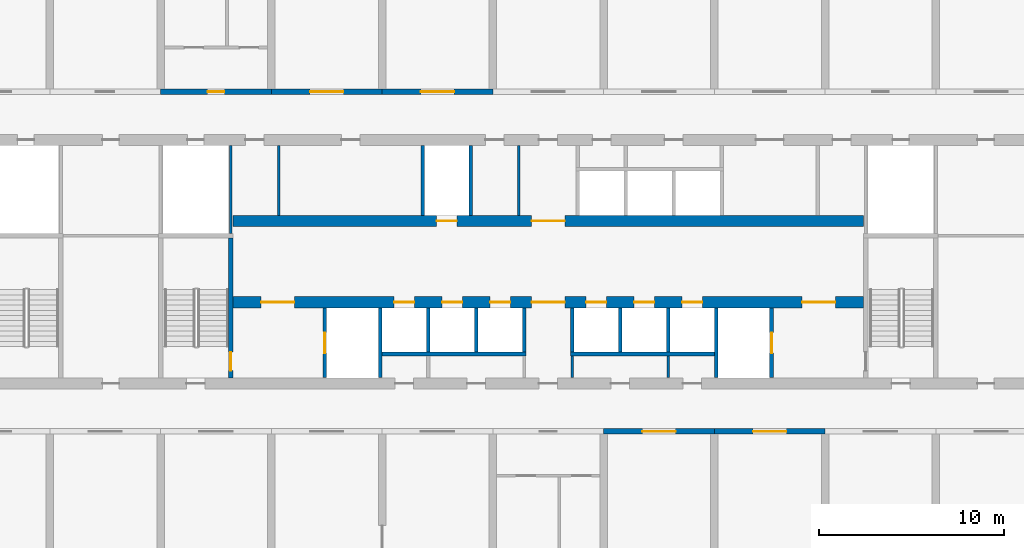
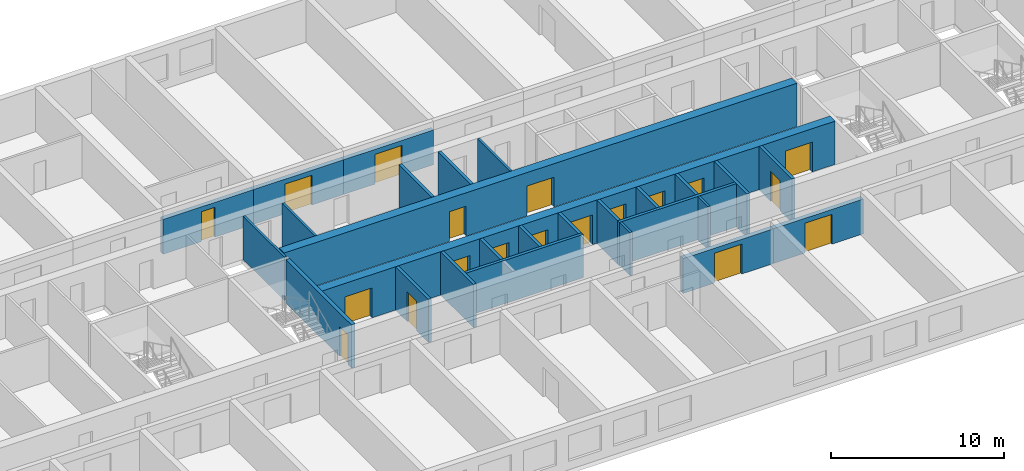
# One storey, part 11 of 21: 27 walls, 19 doors, 19 openings.
"""IFC4 building model written with IfcOpenShell, lengths in metres."""

from ifc_helpers import new_model, si_unit, direction, frame, frame_2d, origin, place, context, subcontext, project, spatial, rectangle, extrude, material, layer, layer_set, type_object, element, fill, save


model = new_model("IFC4")

# Units and contexts
model_context = context("Model", 3, precision=1e-05, world=origin(), true_north=direction((0.0, 1.0)))
body_context = subcontext(model_context, "Body", "Model", "MODEL_VIEW")
ifc_project = project(units=[si_unit("LENGTHUNIT", "METRE"), si_unit("AREAUNIT", "SQUARE_METRE"), si_unit("VOLUMEUNIT", "CUBIC_METRE"), si_unit("PLANEANGLEUNIT", "RADIAN"), si_unit("MASSUNIT", "GRAM", prefix="KILO")], contexts=[model_context])

# Site, building, storey
site_placement = place(None, origin())
site = spatial("IfcSite", under=ifc_project, at=site_placement, CompositionType="ELEMENT")
building_placement = place(site_placement, origin())
building = spatial("IfcBuilding", under=site, at=building_placement, Name="Poui Terraces", CompositionType="ELEMENT")
storey_placement = place(building_placement, frame((0.0, 0.0, 53.10009765625)))
storey = spatial("IfcBuildingStorey", under=building, at=storey_placement, Name="L14", CompositionType="ELEMENT", Elevation=53.10009765625)

# Wall, openings, doors
ifc_material_1 = material(Name="Concrete 80 MPa", Category="concrete")
ifc_layer_1 = layer(ifc_material_1, 0.60009765625)
ifc_layer_set_1 = layer_set([ifc_layer_1], Name="Concrete 80 MPa")
wall_type_1 = type_object("IfcWallType", Name="CORE WALL 600 80 MPA", PredefinedType="SOLIDWALL", material=ifc_layer_set_1)
wall_1_placement = place(storey_placement, frame((33.925048828125, 19.0, 0.0), z_axis=(0.0, 0.0, 1.0), x_axis=(1.0, 0.0, 0.0)))
wall_1 = element("IfcWall", 1, at=wall_1_placement, inside=storey, type_object=wall_type_1, Name="CORE WALL", PredefinedType="SOLIDWALL", context=body_context, shape_type="SweptSolid", body=[
    extrude(rectangle(XDim=34.14990234375, YDim=0.60009765625, at=frame_2d((17.074951171875, 0.0))), origin(), (0.0, 0.0, 1.0), 3.0498046875),
])
opening_1_placement = place(wall_1_placement, frame((16.175048828125, 0.0, 0.0)))
opening_1 = element("IfcOpeningElement", 2, at=opening_1_placement, cuts=wall_1, Name="Opening FDD60", PredefinedType="OPENING", context=body_context, shape_type="SweptSolid", body=[
    extrude(rectangle(XDim=1.800048828125, YDim=2.10009765625, at=frame_2d((0.89990234375, 1.050048828125))), frame((0.0, 0.31005859375, 0.0), z_axis=(0.0, -1.0, 0.0), x_axis=(1.0, 0.0, 0.0)), (0.0, 0.0, 1.0), 0.6201171875),
])
opening_2_placement = place(wall_1_placement, frame((1.52490234375, 0.0, 0.0)))
opening_2 = element("IfcOpeningElement", 3, at=opening_2_placement, cuts=wall_1, Name="Opening FDD60", PredefinedType="OPENING", context=body_context, shape_type="SweptSolid", body=[
    extrude(rectangle(XDim=1.800048828125, YDim=2.10009765625, at=frame_2d((0.89990234375, 1.050048828125))), frame((0.0, 0.31005859375, 0.0), z_axis=(0.0, -1.0, 0.0), x_axis=(1.0, 0.0, 0.0)), (0.0, 0.0, 1.0), 0.6201171875),
])
opening_3_placement = place(wall_1_placement, frame((8.72509765625, 0.0, 0.0)))
opening_3 = element("IfcOpeningElement", 4, at=opening_3_placement, cuts=wall_1, Name="Opening LD", PredefinedType="OPENING", context=body_context, shape_type="SweptSolid", body=[
    extrude(rectangle(XDim=1.10009765625, YDim=2.10009765625, at=frame_2d((0.550048828125, 1.050048828125))), frame((0.0, 0.31005859375, 0.0), z_axis=(0.0, -1.0, 0.0), x_axis=(1.0, 0.0, 0.0)), (0.0, 0.0, 1.0), 0.6201171875),
])
opening_4_placement = place(wall_1_placement, frame((11.324951171875, 0.0, 0.0)))
opening_4 = element("IfcOpeningElement", 5, at=opening_4_placement, cuts=wall_1, Name="Opening LD", PredefinedType="OPENING", context=body_context, shape_type="SweptSolid", body=[
    extrude(rectangle(XDim=1.10009765625, YDim=2.10009765625, at=frame_2d((0.550048828125, 1.050048828125))), frame((0.0, 0.31005859375, 0.0), z_axis=(0.0, -1.0, 0.0), x_axis=(1.0, 0.0, 0.0)), (0.0, 0.0, 1.0), 0.6201171875),
])
opening_5_placement = place(wall_1_placement, frame((13.925048828125, 0.0, 0.0)))
opening_5 = element("IfcOpeningElement", 6, at=opening_5_placement, cuts=wall_1, Name="Opening LD", PredefinedType="OPENING", context=body_context, shape_type="SweptSolid", body=[
    extrude(rectangle(XDim=1.10009765625, YDim=2.10009765625, at=frame_2d((0.550048828125, 1.050048828125))), frame((0.0, 0.31005859375, 0.0), z_axis=(0.0, -1.0, 0.0), x_axis=(1.0, 0.0, 0.0)), (0.0, 0.0, 1.0), 0.6201171875),
])
opening_6_placement = place(wall_1_placement, frame((19.125, 0.0, 0.0)))
opening_6 = element("IfcOpeningElement", 7, at=opening_6_placement, cuts=wall_1, Name="Opening LD", PredefinedType="OPENING", context=body_context, shape_type="SweptSolid", body=[
    extrude(rectangle(XDim=1.10009765625, YDim=2.10009765625, at=frame_2d((0.550048828125, 1.050048828125))), frame((0.0, 0.31005859375, 0.0), z_axis=(0.0, -1.0, 0.0), x_axis=(1.0, 0.0, 0.0)), (0.0, 0.0, 1.0), 0.6201171875),
])
opening_7_placement = place(wall_1_placement, frame((21.72509765625, 0.0, 0.0)))
opening_7 = element("IfcOpeningElement", 8, at=opening_7_placement, cuts=wall_1, Name="Opening LD", PredefinedType="OPENING", context=body_context, shape_type="SweptSolid", body=[
    extrude(rectangle(XDim=1.10009765625, YDim=2.10009765625, at=frame_2d((0.550048828125, 1.050048828125))), frame((0.0, 0.31005859375, 0.0), z_axis=(0.0, -1.0, 0.0), x_axis=(1.0, 0.0, 0.0)), (0.0, 0.0, 1.0), 0.6201171875),
])
opening_8_placement = place(wall_1_placement, frame((24.324951171875, 0.0, 0.0)))
opening_8 = element("IfcOpeningElement", 9, at=opening_8_placement, cuts=wall_1, Name="Opening LD", PredefinedType="OPENING", context=body_context, shape_type="SweptSolid", body=[
    extrude(rectangle(XDim=1.10009765625, YDim=2.10009765625, at=frame_2d((0.550048828125, 1.050048828125))), frame((0.0, 0.31005859375, 0.0), z_axis=(0.0, -1.0, 0.0), x_axis=(1.0, 0.0, 0.0)), (0.0, 0.0, 1.0), 0.6201171875),
])
opening_9_placement = place(wall_1_placement, frame((30.824951171875, 0.0, 0.0)))
opening_9 = element("IfcOpeningElement", 10, at=opening_9_placement, cuts=wall_1, Name="Opening FDD60", PredefinedType="OPENING", context=body_context, shape_type="SweptSolid", body=[
    extrude(rectangle(XDim=1.800048828125, YDim=2.10009765625, at=frame_2d((0.89990234375, 1.050048828125))), frame((0.0, 0.31005859375, 0.0), z_axis=(0.0, -1.0, 0.0), x_axis=(1.0, 0.0, 0.0)), (0.0, 0.0, 1.0), 0.6201171875),
])
ifc_material_2 = material(Name="Steel fire door", Category="steel")
door_type_1 = type_object("IfcDoorType", Name="DOUBLE LOBBY FIRE DOOR 1800 X 2100", OperationType="DOUBLE_DOOR_SINGLE_SWING", PredefinedType="DOOR", material=ifc_material_2)
door_1_placement = place(opening_1_placement, frame((1.800048828125, 0.0, 0.0), z_axis=(0.0, 0.0, 1.0), x_axis=(-1.0, 0.0, 0.0)))
door_1 = element("IfcDoor", 11, at=door_1_placement, inside=storey, type_object=door_type_1, Name="DOUBLE LOBBY FIRE DOOR 086", OperationType="DOUBLE_DOOR_SINGLE_SWING", OverallHeight=2.10009765625, OverallWidth=1.800048828125, PredefinedType="DOOR", context=body_context, shape_type="SweptSolid", body=[
    extrude(rectangle(XDim=1.800048828125, YDim=2.10009765625, at=frame_2d((0.89990234375, 1.050048828125))), frame((0.0, 0.02490234375, 0.0), z_axis=(0.0, -1.0, 0.0), x_axis=(1.0, 0.0, 0.0)), (0.0, 0.0, 1.0), 0.050048828125),
])
fill(opening_1, door_1)
door_2_placement = place(opening_2_placement, origin())
door_2 = element("IfcDoor", 12, at=door_2_placement, inside=storey, type_object=door_type_1, Name="DOUBLE LOBBY FIRE DOOR 087", OperationType="DOUBLE_DOOR_SINGLE_SWING", OverallHeight=2.10009765625, OverallWidth=1.800048828125, PredefinedType="DOOR", context=body_context, shape_type="SweptSolid", body=[
    extrude(rectangle(XDim=1.800048828125, YDim=2.10009765625, at=frame_2d((0.89990234375, 1.050048828125))), frame((0.0, 0.02490234375, 0.0), z_axis=(0.0, -1.0, 0.0), x_axis=(1.0, 0.0, 0.0)), (0.0, 0.0, 1.0), 0.050048828125),
])
fill(opening_2, door_2)
door_3_placement = place(opening_9_placement, origin())
door_3 = element("IfcDoor", 13, at=door_3_placement, inside=storey, type_object=door_type_1, Name="DOUBLE LOBBY FIRE DOOR 095", OperationType="DOUBLE_DOOR_SINGLE_SWING", OverallHeight=2.10009765625, OverallWidth=1.800048828125, PredefinedType="DOOR", context=body_context, shape_type="SweptSolid", body=[
    extrude(rectangle(XDim=1.800048828125, YDim=2.10009765625, at=frame_2d((0.89990234375, 1.050048828125))), frame((0.0, 0.02490234375, 0.0), z_axis=(0.0, -1.0, 0.0), x_axis=(1.0, 0.0, 0.0)), (0.0, 0.0, 1.0), 0.050048828125),
])
fill(opening_9, door_3)
ifc_material_3 = material(Name="Stainless steel sliding door", Category="steel")
door_type_2 = type_object("IfcDoorType", Name="LIFT LANDING DOOR 1100 X 2100", OperationType="DOUBLE_DOOR_SLIDING", PredefinedType="DOOR", material=ifc_material_3)
door_4_placement = place(opening_3_placement, origin())
door_4 = element("IfcDoor", 14, at=door_4_placement, inside=storey, type_object=door_type_2, Name="LANDING DOOR", OperationType="DOUBLE_DOOR_SLIDING", OverallHeight=2.10009765625, OverallWidth=1.10009765625, PredefinedType="DOOR", context=body_context, shape_type="SweptSolid", body=[
    extrude(rectangle(XDim=1.10009765625, YDim=2.10009765625, at=frame_2d((0.550048828125, 1.050048828125))), frame((0.0, 0.02490234375, 0.0), z_axis=(0.0, -1.0, 0.0), x_axis=(1.0, 0.0, 0.0)), (0.0, 0.0, 1.0), 0.050048828125),
])
fill(opening_3, door_4)
door_5_placement = place(opening_4_placement, origin())
door_5 = element("IfcDoor", 15, at=door_5_placement, inside=storey, type_object=door_type_2, Name="LANDING DOOR", OperationType="DOUBLE_DOOR_SLIDING", OverallHeight=2.10009765625, OverallWidth=1.10009765625, PredefinedType="DOOR", context=body_context, shape_type="SweptSolid", body=[
    extrude(rectangle(XDim=1.10009765625, YDim=2.10009765625, at=frame_2d((0.550048828125, 1.050048828125))), frame((0.0, 0.02490234375, 0.0), z_axis=(0.0, -1.0, 0.0), x_axis=(1.0, 0.0, 0.0)), (0.0, 0.0, 1.0), 0.050048828125),
])
fill(opening_4, door_5)
door_6_placement = place(opening_5_placement, origin())
door_6 = element("IfcDoor", 16, at=door_6_placement, inside=storey, type_object=door_type_2, Name="LANDING DOOR", OperationType="DOUBLE_DOOR_SLIDING", OverallHeight=2.10009765625, OverallWidth=1.10009765625, PredefinedType="DOOR", context=body_context, shape_type="SweptSolid", body=[
    extrude(rectangle(XDim=1.10009765625, YDim=2.10009765625, at=frame_2d((0.550048828125, 1.050048828125))), frame((0.0, 0.02490234375, 0.0), z_axis=(0.0, -1.0, 0.0), x_axis=(1.0, 0.0, 0.0)), (0.0, 0.0, 1.0), 0.050048828125),
])
fill(opening_5, door_6)
door_7_placement = place(opening_6_placement, origin())
door_7 = element("IfcDoor", 17, at=door_7_placement, inside=storey, type_object=door_type_2, Name="LANDING DOOR", OperationType="DOUBLE_DOOR_SLIDING", OverallHeight=2.10009765625, OverallWidth=1.10009765625, PredefinedType="DOOR", context=body_context, shape_type="SweptSolid", body=[
    extrude(rectangle(XDim=1.10009765625, YDim=2.10009765625, at=frame_2d((0.550048828125, 1.050048828125))), frame((0.0, 0.02490234375, 0.0), z_axis=(0.0, -1.0, 0.0), x_axis=(1.0, 0.0, 0.0)), (0.0, 0.0, 1.0), 0.050048828125),
])
fill(opening_6, door_7)
door_8_placement = place(opening_7_placement, origin())
door_8 = element("IfcDoor", 18, at=door_8_placement, inside=storey, type_object=door_type_2, Name="LANDING DOOR", OperationType="DOUBLE_DOOR_SLIDING", OverallHeight=2.10009765625, OverallWidth=1.10009765625, PredefinedType="DOOR", context=body_context, shape_type="SweptSolid", body=[
    extrude(rectangle(XDim=1.10009765625, YDim=2.10009765625, at=frame_2d((0.550048828125, 1.050048828125))), frame((0.0, 0.02490234375, 0.0), z_axis=(0.0, -1.0, 0.0), x_axis=(1.0, 0.0, 0.0)), (0.0, 0.0, 1.0), 0.050048828125),
])
fill(opening_7, door_8)
door_9_placement = place(opening_8_placement, origin())
door_9 = element("IfcDoor", 19, at=door_9_placement, inside=storey, type_object=door_type_2, Name="LANDING DOOR", OperationType="DOUBLE_DOOR_SLIDING", OverallHeight=2.10009765625, OverallWidth=1.10009765625, PredefinedType="DOOR", context=body_context, shape_type="SweptSolid", body=[
    extrude(rectangle(XDim=1.10009765625, YDim=2.10009765625, at=frame_2d((0.550048828125, 1.050048828125))), frame((0.0, 0.02490234375, 0.0), z_axis=(0.0, -1.0, 0.0), x_axis=(1.0, 0.0, 0.0)), (0.0, 0.0, 1.0), 0.050048828125),
])
fill(opening_8, door_9)

wall_2_placement = place(storey_placement, frame((33.925048828125, 23.39990234375, 0.0), z_axis=(0.0, 0.0, 1.0), x_axis=(1.0, 0.0, 0.0)))
wall_2 = element("IfcWall", 20, at=wall_2_placement, inside=storey, type_object=wall_type_1, Name="CORE WALL", PredefinedType="SOLIDWALL", context=body_context, shape_type="SweptSolid", body=[
    extrude(rectangle(XDim=34.14990234375, YDim=0.60009765625, at=frame_2d((17.074951171875, 0.0))), origin(), (0.0, 0.0, 1.0), 3.0498046875),
])
opening_10_placement = place(wall_2_placement, frame((16.175048828125, 0.0, 0.0)))
opening_10 = element("IfcOpeningElement", 21, at=opening_10_placement, cuts=wall_2, Name="Opening FDD60", PredefinedType="OPENING", context=body_context, shape_type="SweptSolid", body=[
    extrude(rectangle(XDim=1.800048828125, YDim=2.10009765625, at=frame_2d((0.89990234375, 1.050048828125))), frame((0.0, 0.31005859375, 0.0), z_axis=(0.0, -1.0, 0.0), x_axis=(1.0, 0.0, 0.0)), (0.0, 0.0, 1.0), 0.6201171875),
])
opening_11_placement = place(wall_2_placement, frame((11.02490234375, 0.0, 0.0)))
opening_11 = element("IfcOpeningElement", 22, at=opening_11_placement, cuts=wall_2, Name="Opening LD", PredefinedType="OPENING", context=body_context, shape_type="SweptSolid", body=[
    extrude(rectangle(XDim=1.10009765625, YDim=2.10009765625, at=frame_2d((0.550048828125, 1.050048828125))), frame((0.0, 0.31005859375, 0.0), z_axis=(0.0, -1.0, 0.0), x_axis=(1.0, 0.0, 0.0)), (0.0, 0.0, 1.0), 0.6201171875),
])
door_10_placement = place(opening_10_placement, origin())
door_10 = element("IfcDoor", 23, at=door_10_placement, inside=storey, type_object=door_type_1, Name="DOUBLE LOBBY FIRE DOOR 085", OperationType="DOUBLE_DOOR_SINGLE_SWING", OverallHeight=2.10009765625, OverallWidth=1.800048828125, PredefinedType="DOOR", context=body_context, shape_type="SweptSolid", body=[
    extrude(rectangle(XDim=1.800048828125, YDim=2.10009765625, at=frame_2d((0.89990234375, 1.050048828125))), frame((0.0, 0.02490234375, 0.0), z_axis=(0.0, -1.0, 0.0), x_axis=(1.0, 0.0, 0.0)), (0.0, 0.0, 1.0), 0.050048828125),
])
fill(opening_10, door_10)
door_11_placement = place(opening_11_placement, origin())
door_11 = element("IfcDoor", 24, at=door_11_placement, inside=storey, type_object=door_type_2, Name="LANDING DOOR", OperationType="DOUBLE_DOOR_SLIDING", OverallHeight=2.10009765625, OverallWidth=1.10009765625, PredefinedType="DOOR", context=body_context, shape_type="SweptSolid", body=[
    extrude(rectangle(XDim=1.10009765625, YDim=2.10009765625, at=frame_2d((0.550048828125, 1.050048828125))), frame((0.0, 0.02490234375, 0.0), z_axis=(0.0, -1.0, 0.0), x_axis=(1.0, 0.0, 0.0)), (0.0, 0.0, 1.0), 0.050048828125),
])
fill(opening_11, door_11)

# Walls
ifc_material_4 = material(Name="Fire-rated plasterboard wall")
ifc_layer_2 = layer(ifc_material_4, 0.14990234375)
ifc_layer_set_2 = layer_set([ifc_layer_2], Name="Fire-rated plasterboard wall")
wall_type_2 = type_object("IfcWallType", Name="CORRIDOR WALL 150", PredefinedType="PARTITIONING", material=ifc_layer_set_2)
wall_3_placement = place(storey_placement, frame((49.39990234375, 23.7099609375, 0.0), z_axis=(0.0, 0.0, 1.0), x_axis=(0.0, 1.0, 0.0)))
element("IfcWall", 25, at=wall_3_placement, inside=storey, type_object=wall_type_2, Name="CORRIDOR WALL 150", PredefinedType="PARTITIONING", context=body_context, shape_type="SweptSolid", body=[
    extrude(rectangle(XDim=3.780029296875, YDim=0.14990234375, at=frame_2d((1.89013671875, 0.0))), origin(), (0.0, 0.0, 1.0), 3.0498046875),
])
wall_4_placement = place(storey_placement, frame((52.300048828125, 14.909912109375, 0.0), z_axis=(0.0, 0.0, 1.0), x_axis=(0.0, 1.0, 0.0)))
element("IfcWall", 26, at=wall_4_placement, inside=storey, type_object=wall_type_2, Name="CORRIDOR WALL 150", PredefinedType="PARTITIONING", context=body_context, shape_type="SweptSolid", body=[
    extrude(rectangle(XDim=1.190185546875, YDim=0.14990234375, at=frame_2d((0.59521484375, 0.0))), origin(), (0.0, 0.0, 1.0), 3.0498046875),
])

# Wall, opening, door
ifc_layer_3 = layer(ifc_material_1, 0.300048828125)
ifc_layer_set_3 = layer_set([ifc_layer_3], Name="Concrete 80 MPa")
wall_type_3 = type_object("IfcWallType", Name="CORRIDOR WALL 300 80MPa", PredefinedType="SHEAR", material=ifc_layer_set_3)
wall_5_placement = place(storey_placement, frame((54.0, 12.0, 0.0), z_axis=(0.0, 0.0, 1.0), x_axis=(1.0, 0.0, 0.0)))
wall_5 = element("IfcWall", 27, at=wall_5_placement, inside=storey, type_object=wall_type_3, Name="CORRIDOR WALL LINE B BAY 9", PredefinedType="SHEAR", context=body_context, shape_type="SweptSolid", body=[
    extrude(rectangle(XDim=6.0, YDim=0.300048828125, at=frame_2d((3.0, 0.0))), origin(), (0.0, 0.0, 1.0), 2.449951171875),
])
opening_12_placement = place(wall_5_placement, frame((2.10009765625, 0.0, 0.0)))
opening_12 = element("IfcOpeningElement", 28, at=opening_12_placement, cuts=wall_5, Name="Opening DD180", PredefinedType="OPENING", context=body_context, shape_type="SweptSolid", body=[
    extrude(rectangle(XDim=1.800048828125, YDim=2.10009765625, at=frame_2d((0.89990234375, 1.050048828125))), frame((0.0, 0.16015625, 0.0), z_axis=(0.0, -1.0, 0.0), x_axis=(1.0, 0.0, 0.0)), (0.0, 0.0, 1.0), 0.320068359375),
])
door_type_3 = type_object("IfcDoorType", Name="DOUBLE INTERNAL DOOR 1800 X 2100", OperationType="DOUBLE_DOOR_SINGLE_SWING", PredefinedType="DOOR", material=ifc_material_2)
door_12_placement = place(opening_12_placement, origin())
door_12 = element("IfcDoor", 29, at=door_12_placement, inside=storey, type_object=door_type_3, Name="DOUBLE INTERNAL DOOR 052", OperationType="DOUBLE_DOOR_SINGLE_SWING", OverallHeight=2.10009765625, OverallWidth=1.800048828125, PredefinedType="DOOR", context=body_context, shape_type="SweptSolid", body=[
    extrude(rectangle(XDim=1.800048828125, YDim=2.10009765625, at=frame_2d((0.89990234375, 1.050048828125))), frame((0.0, 0.02490234375, 0.0), z_axis=(0.0, -1.0, 0.0), x_axis=(1.0, 0.0, 0.0)), (0.0, 0.0, 1.0), 0.050048828125),
])
fill(opening_12, door_12)

wall_6_placement = place(storey_placement, frame((60.0, 12.0, 0.0), z_axis=(0.0, 0.0, 1.0), x_axis=(1.0, 0.0, 0.0)))
wall_6 = element("IfcWall", 30, at=wall_6_placement, inside=storey, type_object=wall_type_3, Name="CORRIDOR WALL LINE B BAY 10", PredefinedType="SHEAR", context=body_context, shape_type="SweptSolid", body=[
    extrude(rectangle(XDim=6.0, YDim=0.300048828125, at=frame_2d((3.0, 0.0))), origin(), (0.0, 0.0, 1.0), 2.449951171875),
])
opening_13_placement = place(wall_6_placement, frame((2.10009765625, 0.0, 0.0)))
opening_13 = element("IfcOpeningElement", 31, at=opening_13_placement, cuts=wall_6, Name="Opening DD180", PredefinedType="OPENING", context=body_context, shape_type="SweptSolid", body=[
    extrude(rectangle(XDim=1.800048828125, YDim=2.10009765625, at=frame_2d((0.89990234375, 1.050048828125))), frame((0.0, 0.16015625, 0.0), z_axis=(0.0, -1.0, 0.0), x_axis=(1.0, 0.0, 0.0)), (0.0, 0.0, 1.0), 0.320068359375),
])
door_13_placement = place(opening_13_placement, origin())
door_13 = element("IfcDoor", 32, at=door_13_placement, inside=storey, type_object=door_type_3, Name="DOUBLE INTERNAL DOOR 054", OperationType="DOUBLE_DOOR_SINGLE_SWING", OverallHeight=2.10009765625, OverallWidth=1.800048828125, PredefinedType="DOOR", context=body_context, shape_type="SweptSolid", body=[
    extrude(rectangle(XDim=1.800048828125, YDim=2.10009765625, at=frame_2d((0.89990234375, 1.050048828125))), frame((0.0, 0.02490234375, 0.0), z_axis=(0.0, -1.0, 0.0), x_axis=(1.0, 0.0, 0.0)), (0.0, 0.0, 1.0), 0.050048828125),
])
fill(opening_13, door_13)

wall_7_placement = place(storey_placement, frame((30.0, 30.39990234375, 0.0), z_axis=(0.0, 0.0, 1.0), x_axis=(1.0, 0.0, 0.0)))
wall_7 = element("IfcWall", 33, at=wall_7_placement, inside=storey, type_object=wall_type_3, Name="CORRIDOR WALL LINE E BAY 5", PredefinedType="SHEAR", context=body_context, shape_type="SweptSolid", body=[
    extrude(rectangle(XDim=6.0, YDim=0.300048828125, at=frame_2d((3.0, 0.0))), origin(), (0.0, 0.0, 1.0), 2.449951171875),
])
opening_14_placement = place(wall_7_placement, frame((2.550048828125, 0.0, 0.0)))
opening_14 = element("IfcOpeningElement", 34, at=opening_14_placement, cuts=wall_7, Name="Opening D90", PredefinedType="OPENING", context=body_context, shape_type="SweptSolid", body=[
    extrude(rectangle(XDim=0.89990234375, YDim=2.10009765625, at=frame_2d((0.449951171875, 1.050048828125))), frame((0.0, 0.16015625, 0.0), z_axis=(0.0, -1.0, 0.0), x_axis=(1.0, 0.0, 0.0)), (0.0, 0.0, 1.0), 0.320068359375),
])
ifc_material_5 = material(Name="Solid core timber door", Category="wood")
door_type_4 = type_object("IfcDoorType", Name="INTERNAL DOOR 900 X 2100", OperationType="NOTDEFINED", PredefinedType="DOOR", material=ifc_material_5)
door_14_placement = place(opening_14_placement, frame((0.89990234375, 0.0, 0.0), z_axis=(0.0, 0.0, 1.0), x_axis=(-1.0, 0.0, 0.0)))
door_14 = element("IfcDoor", 35, at=door_14_placement, inside=storey, type_object=door_type_4, Name="INTERNAL DOOR 012", OperationType="SINGLE_SWING_RIGHT", OverallHeight=2.10009765625, OverallWidth=0.89990234375, PredefinedType="DOOR", context=body_context, shape_type="SweptSolid", body=[
    extrude(rectangle(XDim=0.89990234375, YDim=2.10009765625, at=frame_2d((0.449951171875, 1.050048828125))), frame((0.0, 0.02490234375, 0.0), z_axis=(0.0, -1.0, 0.0), x_axis=(1.0, 0.0, 0.0)), (0.0, 0.0, 1.0), 0.050048828125),
])
fill(opening_14, door_14)

wall_8_placement = place(storey_placement, frame((36.0, 30.39990234375, 0.0), z_axis=(0.0, 0.0, 1.0), x_axis=(1.0, 0.0, 0.0)))
wall_8 = element("IfcWall", 36, at=wall_8_placement, inside=storey, type_object=wall_type_3, Name="CORRIDOR WALL LINE E BAY 6", PredefinedType="SHEAR", context=body_context, shape_type="SweptSolid", body=[
    extrude(rectangle(XDim=6.0, YDim=0.300048828125, at=frame_2d((3.0, 0.0))), origin(), (0.0, 0.0, 1.0), 2.449951171875),
])
opening_15_placement = place(wall_8_placement, frame((2.10009765625, 0.0, 0.0)))
opening_15 = element("IfcOpeningElement", 37, at=opening_15_placement, cuts=wall_8, Name="Opening DD180", PredefinedType="OPENING", context=body_context, shape_type="SweptSolid", body=[
    extrude(rectangle(XDim=1.800048828125, YDim=2.10009765625, at=frame_2d((0.89990234375, 1.050048828125))), frame((0.0, 0.16015625, 0.0), z_axis=(0.0, -1.0, 0.0), x_axis=(1.0, 0.0, 0.0)), (0.0, 0.0, 1.0), 0.320068359375),
])
door_15_placement = place(opening_15_placement, frame((1.800048828125, 0.0, 0.0), z_axis=(0.0, 0.0, 1.0), x_axis=(-1.0, 0.0, 0.0)))
door_15 = element("IfcDoor", 38, at=door_15_placement, inside=storey, type_object=door_type_3, Name="DOUBLE INTERNAL DOOR 014", OperationType="DOUBLE_DOOR_SINGLE_SWING", OverallHeight=2.10009765625, OverallWidth=1.800048828125, PredefinedType="DOOR", context=body_context, shape_type="SweptSolid", body=[
    extrude(rectangle(XDim=1.800048828125, YDim=2.10009765625, at=frame_2d((0.89990234375, 1.050048828125))), frame((0.0, 0.02490234375, 0.0), z_axis=(0.0, -1.0, 0.0), x_axis=(1.0, 0.0, 0.0)), (0.0, 0.0, 1.0), 0.050048828125),
])
fill(opening_15, door_15)

wall_9_placement = place(storey_placement, frame((42.0, 30.39990234375, 0.0), z_axis=(0.0, 0.0, 1.0), x_axis=(1.0, 0.0, 0.0)))
wall_9 = element("IfcWall", 39, at=wall_9_placement, inside=storey, type_object=wall_type_3, Name="CORRIDOR WALL LINE E BAY 7", PredefinedType="SHEAR", context=body_context, shape_type="SweptSolid", body=[
    extrude(rectangle(XDim=6.0, YDim=0.300048828125, at=frame_2d((3.0, 0.0))), origin(), (0.0, 0.0, 1.0), 2.449951171875),
])
opening_16_placement = place(wall_9_placement, frame((2.10009765625, 0.0, 0.0)))
opening_16 = element("IfcOpeningElement", 40, at=opening_16_placement, cuts=wall_9, Name="Opening DD180", PredefinedType="OPENING", context=body_context, shape_type="SweptSolid", body=[
    extrude(rectangle(XDim=1.800048828125, YDim=2.10009765625, at=frame_2d((0.89990234375, 1.050048828125))), frame((0.0, 0.16015625, 0.0), z_axis=(0.0, -1.0, 0.0), x_axis=(1.0, 0.0, 0.0)), (0.0, 0.0, 1.0), 0.320068359375),
])
door_16_placement = place(opening_16_placement, frame((1.800048828125, 0.0, 0.0), z_axis=(0.0, 0.0, 1.0), x_axis=(-1.0, 0.0, 0.0)))
door_16 = element("IfcDoor", 41, at=door_16_placement, inside=storey, type_object=door_type_3, Name="DOUBLE INTERNAL DOOR 016", OperationType="DOUBLE_DOOR_SINGLE_SWING", OverallHeight=2.10009765625, OverallWidth=1.800048828125, PredefinedType="DOOR", context=body_context, shape_type="SweptSolid", body=[
    extrude(rectangle(XDim=1.800048828125, YDim=2.10009765625, at=frame_2d((0.89990234375, 1.050048828125))), frame((0.0, 0.02490234375, 0.0), z_axis=(0.0, -1.0, 0.0), x_axis=(1.0, 0.0, 0.0)), (0.0, 0.0, 1.0), 0.050048828125),
])
fill(opening_16, door_16)

# Walls
ifc_material_6 = material(Name="Plasterboard partition")
ifc_layer_4 = layer(ifc_material_6, 0.14990234375)
ifc_layer_set_4 = layer_set([ifc_layer_4], Name="Plasterboard partition")
wall_type_4 = type_object("IfcWallType", Name="PARTITION WALL 150", PredefinedType="PARTITIONING", material=ifc_layer_set_4)
wall_10_placement = place(storey_placement, frame((36.39990234375, 23.7099609375, 0.0), z_axis=(0.0, 0.0, 1.0), x_axis=(0.0, 1.0, 0.0)))
element("IfcWall", 42, at=wall_10_placement, inside=storey, type_object=wall_type_4, Name="PARTITION WALL 150", PredefinedType="PARTITIONING", context=body_context, shape_type="SweptSolid", body=[
    extrude(rectangle(XDim=3.780029296875, YDim=0.14990234375, at=frame_2d((1.89013671875, 0.0))), origin(), (0.0, 0.0, 1.0), 3.0498046875),
])
wall_11_placement = place(storey_placement, frame((57.5, 14.909912109375, 0.0), z_axis=(0.0, 0.0, 1.0), x_axis=(0.0, 1.0, 0.0)))
element("IfcWall", 43, at=wall_11_placement, inside=storey, type_object=wall_type_4, Name="PARTITION WALL 150", PredefinedType="PARTITIONING", context=body_context, shape_type="SweptSolid", body=[
    extrude(rectangle(XDim=1.190185546875, YDim=0.14990234375, at=frame_2d((0.59521484375, 0.0))), origin(), (0.0, 0.0, 1.0), 3.0498046875),
])
ifc_material_7 = material(Name="Fire-rated plasterboard riser wall")
ifc_layer_5 = layer(ifc_material_7, 0.14990234375)
ifc_layer_set_5 = layer_set([ifc_layer_5], Name="Fire-rated plasterboard riser wall")
wall_type_5 = type_object("IfcWallType", Name="RISER WALL 150", PredefinedType="PARTITIONING", material=ifc_layer_set_5)
wall_12_placement = place(storey_placement, frame((33.800048828125, 22.735107421875, 0.0), z_axis=(0.0, 0.0, 1.0), x_axis=(0.0, 1.0, 0.0)))
element("IfcWall", 44, at=wall_12_placement, inside=storey, type_object=wall_type_5, Name="RISER WALL 150", PredefinedType="PARTITIONING", context=body_context, shape_type="SweptSolid", body=[
    extrude(rectangle(XDim=4.7548828125, YDim=0.14990234375, at=frame_2d((2.37744140625, 0.0))), origin(), (0.0, 0.0, 1.0), 3.0498046875),
])
ifc_material_8 = material(Name="Fire-rated masonry shaft wall", Category="masonry")
ifc_layer_6 = layer(ifc_material_8, 0.199951171875)
ifc_layer_set_6 = layer_set([ifc_layer_6], Name="Fire-rated masonry shaft wall")
wall_type_6 = type_object("IfcWallType", Name="SHAFT WALL 200", PredefinedType="PARTITIONING", material=ifc_layer_set_6)
for number, where, z_axis, x_axis, name in (
    (45, (42.0, 16.199951171875, 0.0), (0.0, 0.0, 1.0), (1.0, 0.0, 0.0), "SHAFT WALL 200"),
    (46, (52.199951171875, 16.199951171875, 0.0), (0.0, 0.0, 1.0), (1.0, 0.0, 0.0), "SHAFT WALL 200"),
):
    element("IfcWall", number, at=place(storey_placement, frame(where, z_axis=z_axis, x_axis=x_axis)), inside=storey, type_object=wall_type_6, Name=name, PredefinedType="PARTITIONING", context=body_context, shape_type="SweptSolid", body=[
        extrude(rectangle(XDim=7.800048828125, YDim=0.199951171875, at=frame_2d((3.89990234375, 0.0))), origin(), (0.0, 0.0, 1.0), 3.0498046875),
    ])

# Wall, opening, door
wall_13_placement = place(storey_placement, frame((38.89990234375, 14.909912109375, 0.0), z_axis=(0.0, 0.0, 1.0), x_axis=(0.0, 1.0, 0.0)))
wall_13 = element("IfcWall", 47, at=wall_13_placement, inside=storey, type_object=wall_type_6, Name="SHAFT WALL 200", PredefinedType="PARTITIONING", context=body_context, shape_type="SweptSolid", body=[
    extrude(rectangle(XDim=3.780029296875, YDim=0.199951171875, at=frame_2d((1.89013671875, 0.0))), origin(), (0.0, 0.0, 1.0), 3.0498046875),
])
opening_17_placement = place(wall_13_placement, frame((1.340087890625, 0.0, 0.0)))
opening_17 = element("IfcOpeningElement", 48, at=opening_17_placement, cuts=wall_13, Name="Opening LD", PredefinedType="OPENING", context=body_context, shape_type="SweptSolid", body=[
    extrude(rectangle(XDim=1.10009765625, YDim=2.10009765625, at=frame_2d((0.550048828125, 1.050048828125))), frame((0.0, 0.10986328125, 0.0), z_axis=(0.0, -1.0, 0.0), x_axis=(1.0, 0.0, 0.0)), (0.0, 0.0, 1.0), 0.219970703125),
])
door_17_placement = place(opening_17_placement, origin())
door_17 = element("IfcDoor", 49, at=door_17_placement, inside=storey, type_object=door_type_2, Name="LANDING DOOR", OperationType="DOUBLE_DOOR_SLIDING", OverallHeight=2.10009765625, OverallWidth=1.10009765625, PredefinedType="DOOR", context=body_context, shape_type="SweptSolid", body=[
    extrude(rectangle(XDim=1.10009765625, YDim=2.10009765625, at=frame_2d((0.550048828125, 1.050048828125))), frame((0.0, 0.02490234375, 0.0), z_axis=(0.0, -1.0, 0.0), x_axis=(1.0, 0.0, 0.0)), (0.0, 0.0, 1.0), 0.050048828125),
])
fill(opening_17, door_17)

# Walls
for number, where, z_axis, x_axis, name in (
    (50, (41.89990234375, 14.909912109375, 0.0), (0.0, 0.0, 1.0), (0.0, 1.0, 0.0), "SHAFT WALL 200"),
    (51, (44.199951171875, 23.7099609375, 0.0), (0.0, 0.0, 1.0), (0.0, 1.0, 0.0), "SHAFT WALL 200"),
):
    element("IfcWall", number, at=place(storey_placement, frame(where, z_axis=z_axis, x_axis=x_axis)), inside=storey, type_object=wall_type_6, Name=name, PredefinedType="PARTITIONING", context=body_context, shape_type="SweptSolid", body=[
        extrude(rectangle(XDim=3.780029296875, YDim=0.199951171875, at=frame_2d((1.89013671875, 0.0))), origin(), (0.0, 0.0, 1.0), 3.0498046875),
    ])
wall_14_placement = place(storey_placement, frame((44.5, 16.300048828125, 0.0), z_axis=(0.0, 0.0, 1.0), x_axis=(0.0, 1.0, 0.0)))
element("IfcWall", 52, at=wall_14_placement, inside=storey, type_object=wall_type_6, Name="SHAFT WALL 200", PredefinedType="PARTITIONING", context=body_context, shape_type="SweptSolid", body=[
    extrude(rectangle(XDim=2.389892578125, YDim=0.199951171875, at=frame_2d((1.19482421875, 0.0))), origin(), (0.0, 0.0, 1.0), 3.0498046875),
])
wall_15_placement = place(storey_placement, frame((46.800048828125, 23.7099609375, 0.0), z_axis=(0.0, 0.0, 1.0), x_axis=(0.0, 1.0, 0.0)))
element("IfcWall", 53, at=wall_15_placement, inside=storey, type_object=wall_type_6, Name="SHAFT WALL 200", PredefinedType="PARTITIONING", context=body_context, shape_type="SweptSolid", body=[
    extrude(rectangle(XDim=3.780029296875, YDim=0.199951171875, at=frame_2d((1.89013671875, 0.0))), origin(), (0.0, 0.0, 1.0), 3.0498046875),
])
for number, where, z_axis, x_axis, name in (
    (54, (47.10009765625, 16.300048828125, 0.0), (0.0, 0.0, 1.0), (0.0, 1.0, 0.0), "SHAFT WALL 200"),
    (55, (49.699951171875, 16.300048828125, 0.0), (0.0, 0.0, 1.0), (0.0, 1.0, 0.0), "SHAFT WALL 200"),
    (56, (52.300048828125, 16.300048828125, 0.0), (0.0, 0.0, 1.0), (0.0, 1.0, 0.0), "SHAFT WALL 200"),
    (57, (54.89990234375, 16.300048828125, 0.0), (0.0, 0.0, 1.0), (0.0, 1.0, 0.0), "SHAFT WALL 200"),
    (58, (57.5, 16.300048828125, 0.0), (0.0, 0.0, 1.0), (0.0, 1.0, 0.0), "SHAFT WALL 200"),
):
    element("IfcWall", number, at=place(storey_placement, frame(where, z_axis=z_axis, x_axis=x_axis)), inside=storey, type_object=wall_type_6, Name=name, PredefinedType="PARTITIONING", context=body_context, shape_type="SweptSolid", body=[
        extrude(rectangle(XDim=2.389892578125, YDim=0.199951171875, at=frame_2d((1.19482421875, 0.0))), origin(), (0.0, 0.0, 1.0), 3.0498046875),
    ])
wall_16_placement = place(storey_placement, frame((60.10009765625, 14.909912109375, 0.0), z_axis=(0.0, 0.0, 1.0), x_axis=(0.0, 1.0, 0.0)))
element("IfcWall", 59, at=wall_16_placement, inside=storey, type_object=wall_type_6, Name="SHAFT WALL 200", PredefinedType="PARTITIONING", context=body_context, shape_type="SweptSolid", body=[
    extrude(rectangle(XDim=3.780029296875, YDim=0.199951171875, at=frame_2d((1.89013671875, 0.0))), origin(), (0.0, 0.0, 1.0), 3.0498046875),
])

# Wall, opening, door
wall_17_placement = place(storey_placement, frame((63.10009765625, 14.909912109375, 0.0), z_axis=(0.0, 0.0, 1.0), x_axis=(0.0, 1.0, 0.0)))
wall_17 = element("IfcWall", 60, at=wall_17_placement, inside=storey, type_object=wall_type_6, Name="SHAFT WALL 200", PredefinedType="PARTITIONING", context=body_context, shape_type="SweptSolid", body=[
    extrude(rectangle(XDim=3.780029296875, YDim=0.199951171875, at=frame_2d((1.89013671875, 0.0))), origin(), (0.0, 0.0, 1.0), 3.0498046875),
])
opening_18_placement = place(wall_17_placement, frame((1.340087890625, 0.0, 0.0)))
opening_18 = element("IfcOpeningElement", 61, at=opening_18_placement, cuts=wall_17, Name="Opening LD", PredefinedType="OPENING", context=body_context, shape_type="SweptSolid", body=[
    extrude(rectangle(XDim=1.10009765625, YDim=2.10009765625, at=frame_2d((0.550048828125, 1.050048828125))), frame((0.0, 0.10986328125, 0.0), z_axis=(0.0, -1.0, 0.0), x_axis=(1.0, 0.0, 0.0)), (0.0, 0.0, 1.0), 0.219970703125),
])
door_18_placement = place(opening_18_placement, origin())
door_18 = element("IfcDoor", 62, at=door_18_placement, inside=storey, type_object=door_type_2, Name="LANDING DOOR", OperationType="DOUBLE_DOOR_SLIDING", OverallHeight=2.10009765625, OverallWidth=1.10009765625, PredefinedType="DOOR", context=body_context, shape_type="SweptSolid", body=[
    extrude(rectangle(XDim=1.10009765625, YDim=2.10009765625, at=frame_2d((0.550048828125, 1.050048828125))), frame((0.0, 0.02490234375, 0.0), z_axis=(0.0, -1.0, 0.0), x_axis=(1.0, 0.0, 0.0)), (0.0, 0.0, 1.0), 0.050048828125),
])
fill(opening_18, door_18)

ifc_layer_7 = layer(ifc_material_1, 0.25)
ifc_layer_set_7 = layer_set([ifc_layer_7], Name="Concrete 80 MPa")
wall_type_7 = type_object("IfcWallType", Name="STAIR CORE WALL 250 80 MPA", PredefinedType="SOLIDWALL", material=ifc_layer_set_7)
wall_18_placement = place(storey_placement, frame((33.800048828125, 14.89990234375, 0.0), z_axis=(0.0, 0.0, 1.0), x_axis=(0.0, 1.0, 0.0)))
wall_18 = element("IfcWall", 63, at=wall_18_placement, inside=storey, type_object=wall_type_7, Name="STAIR CORE WALL", PredefinedType="SOLIDWALL", context=body_context, shape_type="SweptSolid", body=[
    extrude(rectangle(XDim=7.5751953125, YDim=0.25, at=frame_2d((3.78759765625, 0.0))), origin(), (0.0, 0.0, 1.0), 3.0498046875),
])
opening_19_placement = place(wall_18_placement, frame((0.39990234375, 0.0, 0.0)))
opening_19 = element("IfcOpeningElement", 64, at=opening_19_placement, cuts=wall_18, Name="Opening FD60S", PredefinedType="OPENING", context=body_context, shape_type="SweptSolid", body=[
    extrude(rectangle(XDim=1.0, YDim=2.10009765625, at=frame_2d((0.5, 1.050048828125))), frame((0.0, 0.135009765625, 0.0), z_axis=(0.0, -1.0, 0.0), x_axis=(1.0, 0.0, 0.0)), (0.0, 0.0, 1.0), 0.27001953125),
])
door_type_5 = type_object("IfcDoorType", Name="STAIR DOOR 1000 X 2100", OperationType="NOTDEFINED", PredefinedType="DOOR", material=ifc_material_2)
door_19_placement = place(opening_19_placement, origin())
door_19 = element("IfcDoor", 65, at=door_19_placement, inside=storey, type_object=door_type_5, Name="STAIR DOOR 083", OperationType="SINGLE_SWING_LEFT", OverallHeight=2.10009765625, OverallWidth=1.0, PredefinedType="DOOR", context=body_context, shape_type="SweptSolid", body=[
    extrude(rectangle(XDim=1.0, YDim=2.10009765625, at=frame_2d((0.5, 1.050048828125))), frame((0.0, 0.02490234375, 0.0), z_axis=(0.0, -1.0, 0.0), x_axis=(1.0, 0.0, 0.0)), (0.0, 0.0, 1.0), 0.050048828125),
])
fill(opening_19, door_19)

save(model, "model.ifc")
